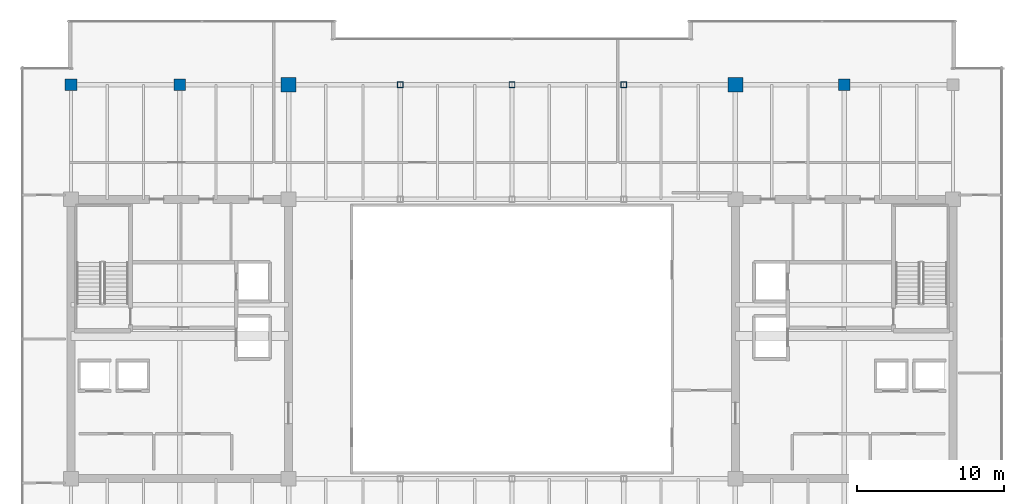
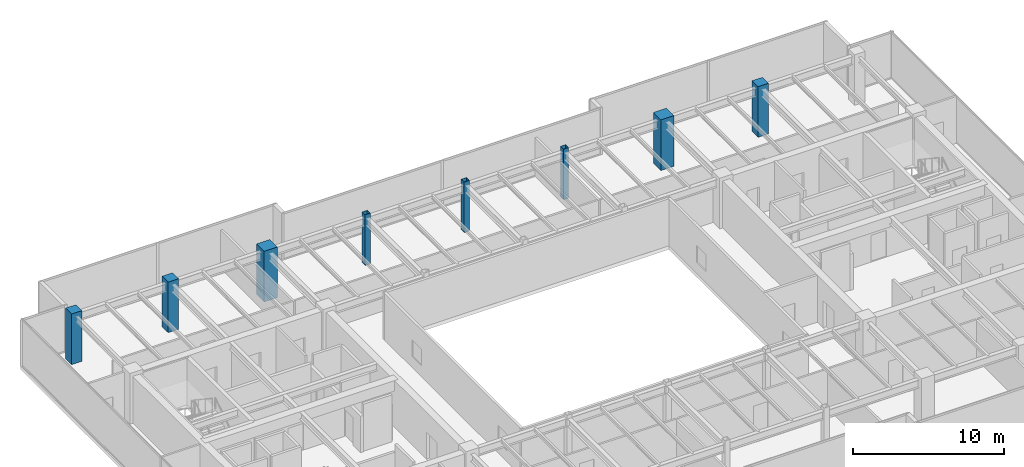
# One storey, part 3 of 33: 8 columns.
"""IFC4 building model written with IfcOpenShell, lengths in metres."""

from ifc_helpers import new_model, si_unit, direction, frame, origin, origin_2d, place, context, subcontext, project, spatial, rectangle, hollow_rectangle, extrude, source, transform, mapped, material, material_profile, profile_set, type_object, type_shapes, element, save


model = new_model("IFC4")

# Units and contexts
model_context = context("Model", 3, precision=1e-05, world=origin(), true_north=direction((0.0, 1.0)))
body_context = subcontext(model_context, "Body", "Model", "MODEL_VIEW")
ifc_project = project(units=[si_unit("LENGTHUNIT", "METRE"), si_unit("AREAUNIT", "SQUARE_METRE"), si_unit("VOLUMEUNIT", "CUBIC_METRE"), si_unit("PLANEANGLEUNIT", "RADIAN"), si_unit("MASSUNIT", "GRAM", prefix="KILO")], contexts=[model_context])

# Site, building, storey
site_placement = place(None, origin())
site = spatial("IfcSite", under=ifc_project, at=site_placement, CompositionType="ELEMENT")
building_placement = place(site_placement, origin())
building = spatial("IfcBuilding", under=site, at=building_placement, Name="Haelvirn Gate Laboratories", CompositionType="ELEMENT")
storey_placement = place(building_placement, frame((0.0, 0.0, 238.300048828125)))
storey = spatial("IfcBuildingStorey", under=building, at=storey_placement, Name="L57", CompositionType="ELEMENT", Elevation=238.300048828125)

# Columns
ifc_material_1 = material(Name="Concrete C60/75", Category="concrete")
ifc_material_profile_1 = material_profile(ifc_material_1, rectangle(XDim=1.0, YDim=1.0, at=origin_2d()), Name="RC-1000x1000")
ifc_profile_set_1 = profile_set([ifc_material_profile_1], Name="Concrete C60/75")
column_type_1 = type_object("IfcColumnType", Name="COL-RC-1000", PredefinedType="COLUMN", material=ifc_profile_set_1)
shared_shape_1 = source(origin(), body_context, "Body", "SweptSolid", [
    extrude(rectangle(XDim=1.0, YDim=1.0, at=origin_2d()), origin(), (0.0, 0.0, 1.0), 4.099853515625),
])
type_shapes(column_type_1, [shared_shape_1])
for number, where, z_axis, x_axis, name in (
    (1, (22.199951171875, 41.60009765625, 0.0), (0.0, 0.0, 1.0), (1.0, 0.0, 0.0), "L57 Column 4G"),
    (2, (52.60009765625, 41.60009765625, 0.0), (0.0, 0.0, 1.0), (1.0, 0.0, 0.0), "L57 Column 8G"),
):
    element("IfcColumn", number, at=place(storey_placement, frame(where, z_axis=z_axis, x_axis=x_axis)), inside=storey, type_object=column_type_1, Name=name, PredefinedType="COLUMN", context=body_context, shape_type="MappedRepresentation", body=[
        mapped(shared_shape_1, transform((0.0, 0.0, 0.0), scale=1.0)),
    ])
ifc_material_2 = material(Name="Concrete C50/60", Category="concrete")
ifc_material_profile_2 = material_profile(ifc_material_2, rectangle(XDim=0.800048828125, YDim=0.800048828125, at=origin_2d()), Name="RC-800x800")
ifc_profile_set_2 = profile_set([ifc_material_profile_2], Name="Concrete C50/60")
column_type_2 = type_object("IfcColumnType", Name="COL-RC-800", PredefinedType="COLUMN", material=ifc_profile_set_2)
shared_shape_2 = source(origin(), body_context, "Body", "SweptSolid", [
    extrude(rectangle(XDim=0.800048828125, YDim=0.800048828125, at=origin_2d()), origin(), (0.0, 0.0, 1.0), 4.099853515625),
])
type_shapes(column_type_2, [shared_shape_2])
for number, where, z_axis, x_axis, name in (
    (3, (14.800048828125, 41.60009765625, 0.0), (0.0, 0.0, 1.0), (1.0, 0.0, 0.0), "L57 Column 3G"),
    (4, (60.0, 41.60009765625, 0.0), (0.0, 0.0, 1.0), (1.0, 0.0, 0.0), "L57 Column 9G"),
    (5, (7.39990234375, 41.60009765625, 0.0), (0.0, 0.0, 1.0), (1.0, 0.0, 0.0), "L57 Column 2G"),
):
    element("IfcColumn", number, at=place(storey_placement, frame(where, z_axis=z_axis, x_axis=x_axis)), inside=storey, type_object=column_type_2, Name=name, PredefinedType="COLUMN", context=body_context, shape_type="MappedRepresentation", body=[
        mapped(shared_shape_2, transform((0.0, 0.0, 0.0), scale=1.0)),
    ])
ifc_material_3 = material(Name="Steel SM355", Category="steel")
ifc_material_profile_3 = material_profile(ifc_material_3, hollow_rectangle(XDim=0.39990234375, YDim=0.39990234375, WallThickness=0.01904296875, at=origin_2d()), Name="BOX-400x400x19")
ifc_profile_set_3 = profile_set([ifc_material_profile_3], Name="Steel SM355")
column_type_3 = type_object("IfcColumnType", Name="COL-BOX-400", PredefinedType="COLUMN", material=ifc_profile_set_3)
shared_shape_3 = source(origin(), body_context, "Body", "SweptSolid", [
    extrude(hollow_rectangle(XDim=0.39990234375, YDim=0.39990234375, WallThickness=0.01904296875, at=origin_2d()), origin(), (0.0, 0.0, 1.0), 4.099853515625),
])
type_shapes(column_type_3, [shared_shape_3])
for number, where, z_axis, x_axis, name in (
    (6, (29.800048828125, 41.60009765625, 0.0), (0.0, 0.0, 1.0), (1.0, 0.0, 0.0), "L57 Column 5G"),
    (7, (37.39990234375, 41.60009765625, 0.0), (0.0, 0.0, 1.0), (1.0, 0.0, 0.0), "L57 Column 6G"),
    (8, (45.0, 41.60009765625, 0.0), (0.0, 0.0, 1.0), (1.0, 0.0, 0.0), "L57 Column 7G"),
):
    element("IfcColumn", number, at=place(storey_placement, frame(where, z_axis=z_axis, x_axis=x_axis)), inside=storey, type_object=column_type_3, Name=name, PredefinedType="COLUMN", context=body_context, shape_type="MappedRepresentation", body=[
        mapped(shared_shape_3, transform((0.0, 0.0, 0.0), scale=1.0)),
    ])

save(model, "model.ifc")
